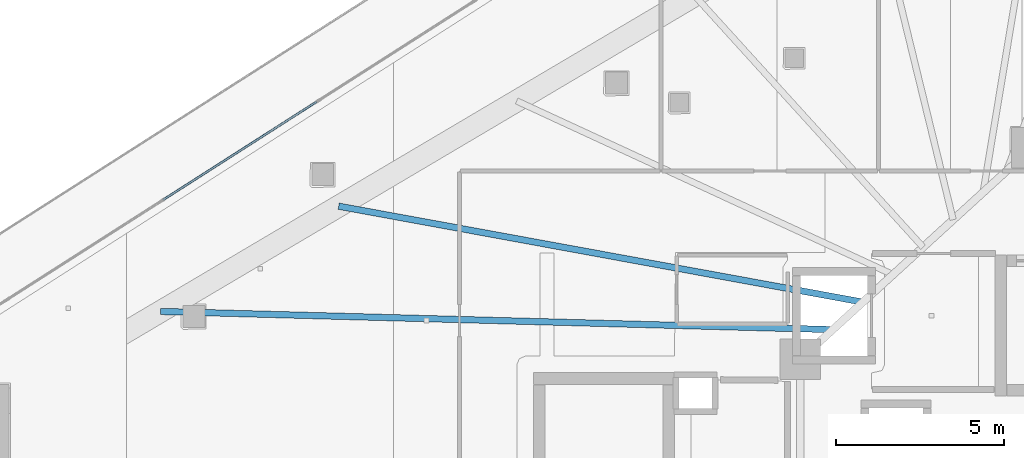
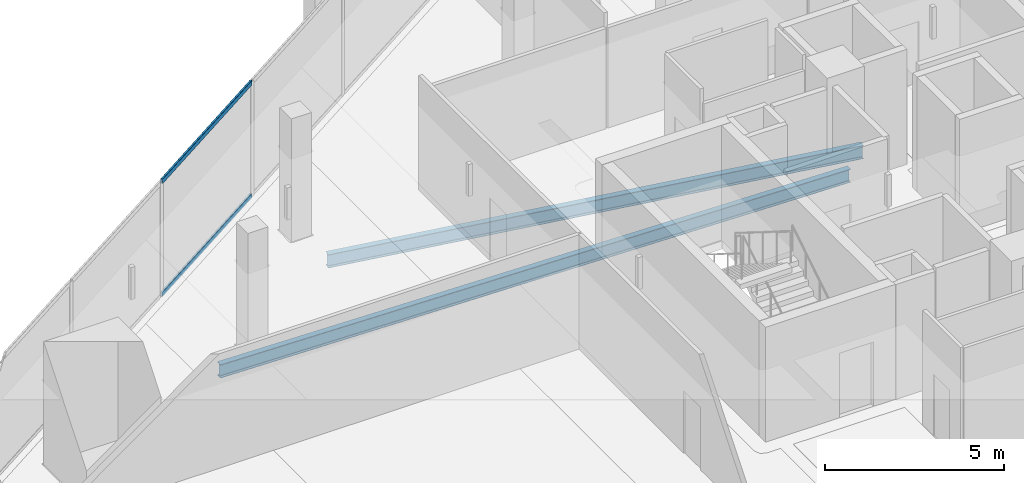
# One storey, part 15 of 45: 2 beams, 2 members, 1 element without a shape of its own.
"""IFC4 building model written with IfcOpenShell, lengths in metres."""

from ifc_helpers import new_model, si_unit, direction, frame, origin, origin_2d, place, context, subcontext, project, spatial, hollow_rectangle, i_section, extrude, material, layer, layer_set, material_profile, profile_set, type_object, element, aggregate, save


model = new_model("IFC4")

# Units and contexts
model_context = context("Model", 3, precision=1e-05, world=origin(), true_north=direction((0.0, 1.0)))
body_context = subcontext(model_context, "Body", "Model", "MODEL_VIEW")
ifc_project = project(units=[si_unit("LENGTHUNIT", "METRE"), si_unit("AREAUNIT", "SQUARE_METRE"), si_unit("VOLUMEUNIT", "CUBIC_METRE"), si_unit("PLANEANGLEUNIT", "RADIAN"), si_unit("MASSUNIT", "GRAM", prefix="KILO")], contexts=[model_context])

# Site, building, storey
site_placement = place(None, origin())
site = spatial("IfcSite", under=ifc_project, at=site_placement, CompositionType="ELEMENT")
building_placement = place(site_placement, origin())
building = spatial("IfcBuilding", under=site, at=building_placement, Name="Qorvath Tower", CompositionType="ELEMENT")
storey_placement = place(building_placement, frame((0.0, 0.0, 91.199951171875)))
storey = spatial("IfcBuildingStorey", under=building, at=storey_placement, Name="L20", CompositionType="ELEMENT", Elevation=91.199951171875)

# Beams
ifc_material_1 = material(Name="Steel ASTM A992 Grade 50", Category="steel")
ifc_material_profile_1 = material_profile(ifc_material_1, i_section(OverallWidth=0.18994140625, OverallDepth=0.45703125, WebThickness=0.009033203125, FlangeThickness=0.014404296875, FilletRadius=0.011962890625, at=origin_2d()), Name="W18x50")
ifc_profile_set_1 = profile_set([ifc_material_profile_1], Name="Steel ASTM A992 Grade 50")
beam_type = type_object("IfcBeamType", Name="BM-FJ2", PredefinedType="JOIST", material=ifc_profile_set_1)
beam_1_placement = place(storey_placement, frame((-29.533935546875, 6.031982421875, -0.508544921875), z_axis=(-0.999634925413, 0.02701880631, 0.0), x_axis=(-0.02701880631, -0.999634925413, 0.0)))
element("IfcBeam", 1, at=beam_1_placement, inside=storey, type_object=beam_type, Name="Composite Floor Joist NW1 L20", PredefinedType="JOIST", context=body_context, shape_type="SweptSolid", body=[
    extrude(i_section(OverallWidth=0.18994140625, OverallDepth=0.45703125, WebThickness=0.009033203125, FlangeThickness=0.014404296875, FilletRadius=0.011962890625, at=origin_2d()), origin(), (0.0, 0.0, 1.0), 20.041748046875),
])
beam_2_placement = place(storey_placement, frame((-28.636962890625, 6.85107421875, -0.508544921875), z_axis=(-0.983656498786, 0.180055248176, 0.0), x_axis=(-0.180055248176, -0.983656498786, 0.0)))
element("IfcBeam", 2, at=beam_2_placement, inside=storey, type_object=beam_type, Name="Composite Floor Joist NW2 L20", PredefinedType="JOIST", context=body_context, shape_type="SweptSolid", body=[
    extrude(i_section(OverallWidth=0.18994140625, OverallDepth=0.45703125, WebThickness=0.009033203125, FlangeThickness=0.014404296875, FilletRadius=0.011962890625, at=origin_2d()), origin(), (0.0, 0.0, 1.0), 15.884521484375),
])

# Curtain wall, members
ifc_material_2 = material(Name="Anodised aluminium and triple low-E glass", Category="aluminium")
ifc_layer = layer(ifc_material_2, 0.179931640625)
ifc_layer_set = layer_set([ifc_layer], Name="CW-SYS-2")
curtain_wall_type = type_object("IfcCurtainWallType", Name="CW-SYS-2", PredefinedType="NOTDEFINED", material=ifc_layer_set)
curtain_wall_placement = place(storey_placement, origin())
curtain_wall = element("IfcCurtainWall", 3, at=curtain_wall_placement, inside=storey, type_object=curtain_wall_type, Name="Curtain Wall CW-2 CW-T-L20-16.4", PredefinedType="NOTDEFINED")
ifc_material_3 = material(Name="Anodised aluminium 6063-T6", Category="aluminium")
ifc_material_profile_2 = material_profile(ifc_material_3, hollow_rectangle(XDim=0.06494140625, YDim=0.159912109375, WallThickness=0.00341796875, InnerFilletRadius=0.00341796875, OuterFilletRadius=0.007080078125, at=origin_2d()), Name="CWT 160x65")
ifc_profile_set_2 = profile_set([ifc_material_profile_2], Name="Anodised aluminium 6063-T6")
member_type = type_object("IfcMemberType", Name="CWT-160", PredefinedType="USERDEFINED", material=ifc_profile_set_2)
member_1_placement = place(storey_placement, frame((-44.917724609375, 12.825927734375, 0.032470703125), z_axis=(-0.842607363734, -0.538528393477, 0.0), x_axis=(0.538528393477, -0.842607363734, 0.0)))
member_1 = element("IfcMember", 4, at=member_1_placement, type_object=member_type, Name="CW-2 transom 3.1", ObjectType="TRANSOM", PredefinedType="USERDEFINED", context=body_context, shape_type="SweptSolid", body=[
    extrude(hollow_rectangle(XDim=0.06494140625, YDim=0.159912109375, WallThickness=0.00341796875, InnerFilletRadius=0.00341796875, OuterFilletRadius=0.007080078125, at=origin_2d()), origin(), (0.0, 0.0, 1.0), 5.434814453125),
])
member_2_placement = place(storey_placement, frame((-44.917724609375, 12.825927734375, 3.8876953125), z_axis=(-0.842607363734, -0.538528393477, 0.0), x_axis=(0.538528393477, -0.842607363734, 0.0)))
member_2 = element("IfcMember", 5, at=member_2_placement, type_object=member_type, Name="CW-2 transom 3.2", ObjectType="TRANSOM", PredefinedType="USERDEFINED", context=body_context, shape_type="SweptSolid", body=[
    extrude(hollow_rectangle(XDim=0.06494140625, YDim=0.159912109375, WallThickness=0.00341796875, InnerFilletRadius=0.00341796875, OuterFilletRadius=0.007080078125, at=origin_2d()), origin(), (0.0, 0.0, 1.0), 5.434814453125),
])
aggregate(curtain_wall, [member_1, member_2])

save(model, "model.ifc")
